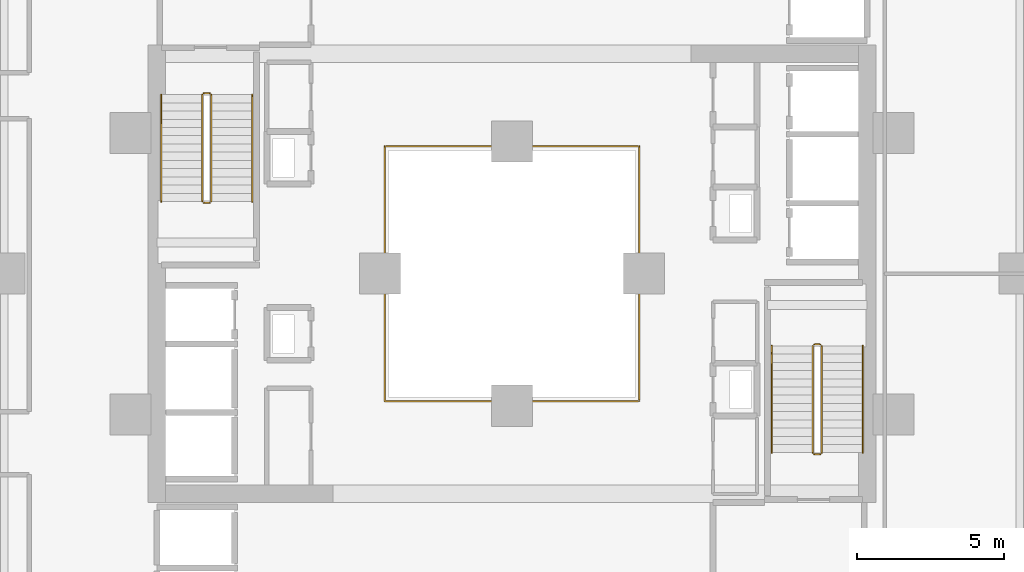
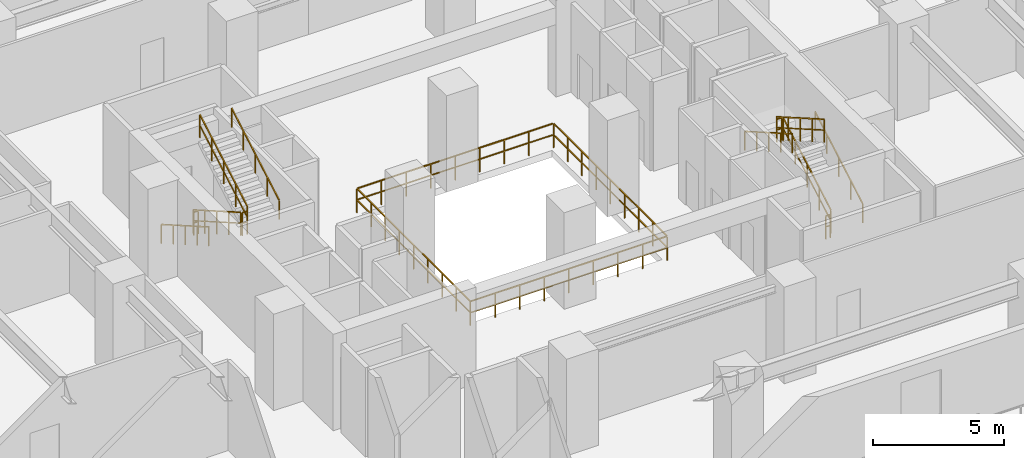
# One storey, part 25 of 25: 13 railings.
"""IFC4 building model written with IfcOpenShell, lengths in metres."""

from ifc_helpers import new_model, si_unit, direction, frame, origin, origin_2d, place, context, subcontext, project, spatial, rectangle, extrude, material, type_object, element, save


model = new_model("IFC4")

# Units and contexts
model_context = context("Model", 3, precision=1e-05, world=origin(), true_north=direction((0.0, 1.0)))
body_context = subcontext(model_context, "Body", "Model", "MODEL_VIEW")
ifc_project = project(units=[si_unit("LENGTHUNIT", "METRE"), si_unit("AREAUNIT", "SQUARE_METRE"), si_unit("VOLUMEUNIT", "CUBIC_METRE"), si_unit("PLANEANGLEUNIT", "RADIAN"), si_unit("MASSUNIT", "GRAM", prefix="KILO")], contexts=[model_context])

# Site, building, storey
site_placement = place(None, origin())
site = spatial("IfcSite", under=ifc_project, at=site_placement, CompositionType="ELEMENT")
building_placement = place(site_placement, origin())
building = spatial("IfcBuilding", under=site, at=building_placement, Name="Thornwick Lancets Civic Towers", CompositionType="ELEMENT")
storey_placement = place(building_placement, frame((0.0, 0.0, 9.60009765625)))
storey = spatial("IfcBuildingStorey", under=building, at=storey_placement, Name="L02", CompositionType="ELEMENT", Elevation=9.60009765625)

# Railings
ifc_material_1 = material(Name="Laminated glass and bronze steel S355", Category="steel")
railing_type_1 = type_object("IfcRailingType", Name="RAIL_ATRIUM_GUARD", PredefinedType="BALUSTRADE", material=ifc_material_1)
railing_1_placement = place(storey_placement, frame((84.159912109375, 22.659912109375, 0.0)))
element("IfcRailing", 1, at=railing_1_placement, inside=storey, type_object=railing_type_1, Name="L02 Tower B Central Atrium Guard Balustrade", PredefinedType="BALUSTRADE", context=body_context, shape_type="SweptSolid", body=[
    extrude(rectangle(XDim=0.048095703125, YDim=0.048095703125, at=origin_2d()), frame((0.0, 0.0, 1.1259765625), z_axis=(1.0, 0.0, 0.0), x_axis=(0.0, 1.0, 0.0)), (0.0, 0.0, 1.0), 8.64892578125),
    extrude(rectangle(XDim=0.0419921875, YDim=0.0419921875, at=origin_2d()), frame((0.03759765625, 0.0, 0.597900390625), z_axis=(1.0, 0.0, 0.0), x_axis=(0.0, 1.0, 0.0)), (0.0, 0.0, 1.0), 1.010009765625),
    extrude(rectangle(XDim=0.0419921875, YDim=0.0419921875, at=origin_2d()), frame((1.12255859375, 0.0, 0.597900390625), z_axis=(1.0, 0.0, 0.0), x_axis=(0.0, 1.0, 0.0)), (0.0, 0.0, 1.0), 1.010009765625),
    extrude(rectangle(XDim=0.0419921875, YDim=0.0419921875, at=origin_2d()), frame((2.20751953125, 0.0, 0.597900390625), z_axis=(1.0, 0.0, 0.0), x_axis=(0.0, 1.0, 0.0)), (0.0, 0.0, 1.0), 1.010009765625),
    extrude(rectangle(XDim=0.0419921875, YDim=0.0419921875, at=origin_2d()), frame((3.29248046875, 0.0, 0.597900390625), z_axis=(1.0, 0.0, 0.0), x_axis=(0.0, 1.0, 0.0)), (0.0, 0.0, 1.0), 1.010009765625),
    extrude(rectangle(XDim=0.0419921875, YDim=0.0419921875, at=origin_2d()), frame((4.377685546875, 0.0, 0.597900390625), z_axis=(1.0, 0.0, 0.0), x_axis=(0.0, 1.0, 0.0)), (0.0, 0.0, 1.0), 1.010009765625),
    extrude(rectangle(XDim=0.0419921875, YDim=0.0419921875, at=origin_2d()), frame((5.462646484375, 0.0, 0.597900390625), z_axis=(1.0, 0.0, 0.0), x_axis=(0.0, 1.0, 0.0)), (0.0, 0.0, 1.0), 1.010009765625),
    extrude(rectangle(XDim=0.0419921875, YDim=0.0419921875, at=origin_2d()), frame((6.547607421875, 0.0, 0.597900390625), z_axis=(1.0, 0.0, 0.0), x_axis=(0.0, 1.0, 0.0)), (0.0, 0.0, 1.0), 1.010009765625),
    extrude(rectangle(XDim=0.0419921875, YDim=0.0419921875, at=origin_2d()), frame((7.632568359375, 0.0, 0.597900390625), z_axis=(1.0, 0.0, 0.0), x_axis=(0.0, 1.0, 0.0)), (0.0, 0.0, 1.0), 1.010009765625),
    extrude(rectangle(XDim=0.048095703125, YDim=0.048095703125, at=origin_2d()), frame((8.68017578125, 0.03125, 1.1259765625), z_axis=(0.0, 1.0, 0.0), x_axis=(-1.0, 0.0, 0.0)), (0.0, 0.0, 1.0), 8.61767578125),
    extrude(rectangle(XDim=0.0419921875, YDim=0.0419921875, at=origin_2d()), frame((8.68017578125, 0.03759765625, 0.597900390625), z_axis=(0.0, 1.0, 0.0), x_axis=(-1.0, 0.0, 0.0)), (0.0, 0.0, 1.0), 1.010009765625),
    extrude(rectangle(XDim=0.0419921875, YDim=0.0419921875, at=origin_2d()), frame((8.68017578125, 1.12255859375, 0.597900390625), z_axis=(0.0, 1.0, 0.0), x_axis=(-1.0, 0.0, 0.0)), (0.0, 0.0, 1.0), 1.010009765625),
    extrude(rectangle(XDim=0.0419921875, YDim=0.0419921875, at=origin_2d()), frame((8.68017578125, 2.20751953125, 0.597900390625), z_axis=(0.0, 1.0, 0.0), x_axis=(-1.0, 0.0, 0.0)), (0.0, 0.0, 1.0), 1.010009765625),
    extrude(rectangle(XDim=0.0419921875, YDim=0.0419921875, at=origin_2d()), frame((8.68017578125, 3.29248046875, 0.597900390625), z_axis=(0.0, 1.0, 0.0), x_axis=(-1.0, 0.0, 0.0)), (0.0, 0.0, 1.0), 1.010009765625),
    extrude(rectangle(XDim=0.0419921875, YDim=0.0419921875, at=origin_2d()), frame((8.68017578125, 4.377685546875, 0.597900390625), z_axis=(0.0, 1.0, 0.0), x_axis=(-1.0, 0.0, 0.0)), (0.0, 0.0, 1.0), 1.010009765625),
    extrude(rectangle(XDim=0.0419921875, YDim=0.0419921875, at=origin_2d()), frame((8.68017578125, 5.462646484375, 0.597900390625), z_axis=(0.0, 1.0, 0.0), x_axis=(-1.0, 0.0, 0.0)), (0.0, 0.0, 1.0), 1.010009765625),
    extrude(rectangle(XDim=0.0419921875, YDim=0.0419921875, at=origin_2d()), frame((8.68017578125, 6.547607421875, 0.597900390625), z_axis=(0.0, 1.0, 0.0), x_axis=(-1.0, 0.0, 0.0)), (0.0, 0.0, 1.0), 1.010009765625),
    extrude(rectangle(XDim=0.0419921875, YDim=0.0419921875, at=origin_2d()), frame((8.68017578125, 7.632568359375, 0.597900390625), z_axis=(0.0, 1.0, 0.0), x_axis=(-1.0, 0.0, 0.0)), (0.0, 0.0, 1.0), 1.010009765625),
    extrude(rectangle(XDim=0.048095703125, YDim=0.048095703125, at=origin_2d()), frame((8.64892578125, 8.68017578125, 1.1259765625), z_axis=(-1.0, 0.0, 0.0), x_axis=(0.0, -1.0, 0.0)), (0.0, 0.0, 1.0), 8.61767578125),
    extrude(rectangle(XDim=0.0419921875, YDim=0.0419921875, at=origin_2d()), frame((8.642578125, 8.68017578125, 0.597900390625), z_axis=(-1.0, 0.0, 0.0), x_axis=(0.0, -1.0, 0.0)), (0.0, 0.0, 1.0), 1.010009765625),
    extrude(rectangle(XDim=0.0419921875, YDim=0.0419921875, at=origin_2d()), frame((7.5576171875, 8.68017578125, 0.597900390625), z_axis=(-1.0, 0.0, 0.0), x_axis=(0.0, -1.0, 0.0)), (0.0, 0.0, 1.0), 1.010009765625),
    extrude(rectangle(XDim=0.0419921875, YDim=0.0419921875, at=origin_2d()), frame((6.47265625, 8.68017578125, 0.597900390625), z_axis=(-1.0, 0.0, 0.0), x_axis=(0.0, -1.0, 0.0)), (0.0, 0.0, 1.0), 1.010009765625),
    extrude(rectangle(XDim=0.0419921875, YDim=0.0419921875, at=origin_2d()), frame((5.3876953125, 8.68017578125, 0.597900390625), z_axis=(-1.0, 0.0, 0.0), x_axis=(0.0, -1.0, 0.0)), (0.0, 0.0, 1.0), 1.010009765625),
    extrude(rectangle(XDim=0.0419921875, YDim=0.0419921875, at=origin_2d()), frame((4.302490234375, 8.68017578125, 0.597900390625), z_axis=(-1.0, 0.0, 0.0), x_axis=(0.0, -1.0, 0.0)), (0.0, 0.0, 1.0), 1.010009765625),
    extrude(rectangle(XDim=0.0419921875, YDim=0.0419921875, at=origin_2d()), frame((3.217529296875, 8.68017578125, 0.597900390625), z_axis=(-1.0, 0.0, 0.0), x_axis=(0.0, -1.0, 0.0)), (0.0, 0.0, 1.0), 1.010009765625),
    extrude(rectangle(XDim=0.0419921875, YDim=0.0419921875, at=origin_2d()), frame((2.132568359375, 8.68017578125, 0.597900390625), z_axis=(-1.0, 0.0, 0.0), x_axis=(0.0, -1.0, 0.0)), (0.0, 0.0, 1.0), 1.010009765625),
    extrude(rectangle(XDim=0.0419921875, YDim=0.0419921875, at=origin_2d()), frame((1.047607421875, 8.68017578125, 0.597900390625), z_axis=(-1.0, 0.0, 0.0), x_axis=(0.0, -1.0, 0.0)), (0.0, 0.0, 1.0), 1.010009765625),
    extrude(rectangle(XDim=0.048095703125, YDim=0.048095703125, at=origin_2d()), frame((0.0, 8.64892578125, 1.1259765625), z_axis=(0.0, -1.0, 0.0), x_axis=(1.0, 0.0, 0.0)), (0.0, 0.0, 1.0), 8.64892578125),
    extrude(rectangle(XDim=0.0419921875, YDim=0.0419921875, at=origin_2d()), frame((0.0, 8.642578125, 0.597900390625), z_axis=(0.0, -1.0, 0.0), x_axis=(1.0, 0.0, 0.0)), (0.0, 0.0, 1.0), 1.010009765625),
    extrude(rectangle(XDim=0.0419921875, YDim=0.0419921875, at=origin_2d()), frame((0.0, 7.5576171875, 0.597900390625), z_axis=(0.0, -1.0, 0.0), x_axis=(1.0, 0.0, 0.0)), (0.0, 0.0, 1.0), 1.010009765625),
    extrude(rectangle(XDim=0.0419921875, YDim=0.0419921875, at=origin_2d()), frame((0.0, 6.47265625, 0.597900390625), z_axis=(0.0, -1.0, 0.0), x_axis=(1.0, 0.0, 0.0)), (0.0, 0.0, 1.0), 1.010009765625),
    extrude(rectangle(XDim=0.0419921875, YDim=0.0419921875, at=origin_2d()), frame((0.0, 5.3876953125, 0.597900390625), z_axis=(0.0, -1.0, 0.0), x_axis=(1.0, 0.0, 0.0)), (0.0, 0.0, 1.0), 1.010009765625),
    extrude(rectangle(XDim=0.0419921875, YDim=0.0419921875, at=origin_2d()), frame((0.0, 4.302490234375, 0.597900390625), z_axis=(0.0, -1.0, 0.0), x_axis=(1.0, 0.0, 0.0)), (0.0, 0.0, 1.0), 1.010009765625),
    extrude(rectangle(XDim=0.0419921875, YDim=0.0419921875, at=origin_2d()), frame((0.0, 3.217529296875, 0.597900390625), z_axis=(0.0, -1.0, 0.0), x_axis=(1.0, 0.0, 0.0)), (0.0, 0.0, 1.0), 1.010009765625),
    extrude(rectangle(XDim=0.0419921875, YDim=0.0419921875, at=origin_2d()), frame((0.0, 2.132568359375, 0.597900390625), z_axis=(0.0, -1.0, 0.0), x_axis=(1.0, 0.0, 0.0)), (0.0, 0.0, 1.0), 1.010009765625),
    extrude(rectangle(XDim=0.0419921875, YDim=0.0419921875, at=origin_2d()), frame((0.0, 1.047607421875, 0.597900390625), z_axis=(0.0, -1.0, 0.0), x_axis=(1.0, 0.0, 0.0)), (0.0, 0.0, 1.0), 1.010009765625),
    extrude(rectangle(XDim=0.0419921875, YDim=0.0419921875, at=origin_2d()), origin(), (0.0, 0.0, 1.0), 1.095703125),
    extrude(rectangle(XDim=0.0419921875, YDim=0.0419921875, at=origin_2d()), frame((1.0849609375, 0.0, 0.0)), (0.0, 0.0, 1.0), 1.095703125),
    extrude(rectangle(XDim=0.0419921875, YDim=0.0419921875, at=origin_2d()), frame((2.169921875, 0.0, 0.0)), (0.0, 0.0, 1.0), 1.095703125),
    extrude(rectangle(XDim=0.0419921875, YDim=0.0419921875, at=origin_2d()), frame((3.255126953125, 0.0, 0.0)), (0.0, 0.0, 1.0), 1.095703125),
    extrude(rectangle(XDim=0.0419921875, YDim=0.0419921875, at=origin_2d()), frame((4.340087890625, 0.0, 0.0)), (0.0, 0.0, 1.0), 1.095703125),
    extrude(rectangle(XDim=0.0419921875, YDim=0.0419921875, at=origin_2d()), frame((5.425048828125, 0.0, 0.0)), (0.0, 0.0, 1.0), 1.095703125),
    extrude(rectangle(XDim=0.0419921875, YDim=0.0419921875, at=origin_2d()), frame((6.51025390625, 0.0, 0.0)), (0.0, 0.0, 1.0), 1.095703125),
    extrude(rectangle(XDim=0.0419921875, YDim=0.0419921875, at=origin_2d()), frame((7.59521484375, 0.0, 0.0)), (0.0, 0.0, 1.0), 1.095703125),
    extrude(rectangle(XDim=0.0419921875, YDim=0.0419921875, at=origin_2d()), frame((8.68017578125, 0.0, 0.0)), (0.0, 0.0, 1.0), 1.095703125),
    extrude(rectangle(XDim=0.0419921875, YDim=0.0419921875, at=origin_2d()), frame((8.68017578125, 1.0849609375, 0.0)), (0.0, 0.0, 1.0), 1.095703125),
    extrude(rectangle(XDim=0.0419921875, YDim=0.0419921875, at=origin_2d()), frame((8.68017578125, 2.169921875, 0.0)), (0.0, 0.0, 1.0), 1.095703125),
    extrude(rectangle(XDim=0.0419921875, YDim=0.0419921875, at=origin_2d()), frame((8.68017578125, 3.255126953125, 0.0)), (0.0, 0.0, 1.0), 1.095703125),
    extrude(rectangle(XDim=0.0419921875, YDim=0.0419921875, at=origin_2d()), frame((8.68017578125, 4.340087890625, 0.0)), (0.0, 0.0, 1.0), 1.095703125),
    extrude(rectangle(XDim=0.0419921875, YDim=0.0419921875, at=origin_2d()), frame((8.68017578125, 5.425048828125, 0.0)), (0.0, 0.0, 1.0), 1.095703125),
    extrude(rectangle(XDim=0.0419921875, YDim=0.0419921875, at=origin_2d()), frame((8.68017578125, 6.51025390625, 0.0)), (0.0, 0.0, 1.0), 1.095703125),
    extrude(rectangle(XDim=0.0419921875, YDim=0.0419921875, at=origin_2d()), frame((8.68017578125, 7.59521484375, 0.0)), (0.0, 0.0, 1.0), 1.095703125),
    extrude(rectangle(XDim=0.0419921875, YDim=0.0419921875, at=origin_2d()), frame((8.68017578125, 8.68017578125, 0.0)), (0.0, 0.0, 1.0), 1.095703125),
    extrude(rectangle(XDim=0.0419921875, YDim=0.0419921875, at=origin_2d()), frame((7.59521484375, 8.68017578125, 0.0)), (0.0, 0.0, 1.0), 1.095703125),
    extrude(rectangle(XDim=0.0419921875, YDim=0.0419921875, at=origin_2d()), frame((6.51025390625, 8.68017578125, 0.0)), (0.0, 0.0, 1.0), 1.095703125),
    extrude(rectangle(XDim=0.0419921875, YDim=0.0419921875, at=origin_2d()), frame((5.425048828125, 8.68017578125, 0.0)), (0.0, 0.0, 1.0), 1.095703125),
    extrude(rectangle(XDim=0.0419921875, YDim=0.0419921875, at=origin_2d()), frame((4.340087890625, 8.68017578125, 0.0)), (0.0, 0.0, 1.0), 1.095703125),
    extrude(rectangle(XDim=0.0419921875, YDim=0.0419921875, at=origin_2d()), frame((3.255126953125, 8.68017578125, 0.0)), (0.0, 0.0, 1.0), 1.095703125),
    extrude(rectangle(XDim=0.0419921875, YDim=0.0419921875, at=origin_2d()), frame((2.169921875, 8.68017578125, 0.0)), (0.0, 0.0, 1.0), 1.095703125),
    extrude(rectangle(XDim=0.0419921875, YDim=0.0419921875, at=origin_2d()), frame((1.0849609375, 8.68017578125, 0.0)), (0.0, 0.0, 1.0), 1.095703125),
    extrude(rectangle(XDim=0.0419921875, YDim=0.0419921875, at=origin_2d()), frame((0.0, 8.68017578125, 0.0)), (0.0, 0.0, 1.0), 1.095703125),
    extrude(rectangle(XDim=0.0419921875, YDim=0.0419921875, at=origin_2d()), frame((0.0, 7.59521484375, 0.0)), (0.0, 0.0, 1.0), 1.095703125),
    extrude(rectangle(XDim=0.0419921875, YDim=0.0419921875, at=origin_2d()), frame((0.0, 6.51025390625, 0.0)), (0.0, 0.0, 1.0), 1.095703125),
    extrude(rectangle(XDim=0.0419921875, YDim=0.0419921875, at=origin_2d()), frame((0.0, 5.425048828125, 0.0)), (0.0, 0.0, 1.0), 1.095703125),
    extrude(rectangle(XDim=0.0419921875, YDim=0.0419921875, at=origin_2d()), frame((0.0, 4.340087890625, 0.0)), (0.0, 0.0, 1.0), 1.095703125),
    extrude(rectangle(XDim=0.0419921875, YDim=0.0419921875, at=origin_2d()), frame((0.0, 3.255126953125, 0.0)), (0.0, 0.0, 1.0), 1.095703125),
    extrude(rectangle(XDim=0.0419921875, YDim=0.0419921875, at=origin_2d()), frame((0.0, 2.169921875, 0.0)), (0.0, 0.0, 1.0), 1.095703125),
    extrude(rectangle(XDim=0.0419921875, YDim=0.0419921875, at=origin_2d()), frame((0.0, 1.0849609375, 0.0)), (0.0, 0.0, 1.0), 1.095703125),
])
ifc_material_2 = material(Name="Brushed stainless steel S355", Category="steel")
railing_type_2 = type_object("IfcRailingType", Name="RAIL_HANDRAIL", PredefinedType="HANDRAIL", material=ifc_material_2)
railing_2_placement = place(storey_placement, frame((100.449951171875, 20.89990234375, 0.16064453125)))
element("IfcRailing", 2, at=railing_2_placement, inside=storey, type_object=railing_type_2, Name="L02 ST-B1 stair handrail 1", PredefinedType="HANDRAIL", context=body_context, shape_type="SweptSolid", body=[
    extrude(rectangle(XDim=0.048095703125, YDim=0.048095703125, at=origin_2d()), frame((0.0, 0.0, 0.8857421875), z_axis=(0.0, 0.867289372828, 0.497804322781), x_axis=(-1.0, 0.0, 0.0)), (0.0, 0.0, 1.0), 4.197021484375),
    extrude(rectangle(XDim=0.0419921875, YDim=0.0419921875, at=origin_2d()), origin(), (0.0, 0.0, 1.0), 0.855712890625),
    extrude(rectangle(XDim=0.0419921875, YDim=0.0419921875, at=origin_2d()), frame((0.0, 0.91015625, 0.5224609375)), (0.0, 0.0, 1.0), 0.855712890625),
    extrude(rectangle(XDim=0.0419921875, YDim=0.0419921875, at=origin_2d()), frame((0.0, 1.820068359375, 1.044677734375)), (0.0, 0.0, 1.0), 0.855712890625),
    extrude(rectangle(XDim=0.0419921875, YDim=0.0419921875, at=origin_2d()), frame((0.0, 2.72998046875, 1.56689453125)), (0.0, 0.0, 1.0), 0.855712890625),
    extrude(rectangle(XDim=0.0419921875, YDim=0.0419921875, at=origin_2d()), frame((0.0, 3.64013671875, 2.08935546875)), (0.0, 0.0, 1.0), 0.855712890625),
])
for number, where, name in (
    (3, (97.35009765625, 24.5400390625, 2.41064453125), "L02 ST-B1 stair handrail 2"),
    (4, (76.550048828125, 33.10009765625, 0.16064453125), "L02 ST-B2 stair handrail 1"),
):
    element("IfcRailing", number, at=place(storey_placement, frame(where)), inside=storey, type_object=railing_type_2, Name=name, PredefinedType="HANDRAIL", context=body_context, shape_type="SweptSolid", body=[
        extrude(rectangle(XDim=0.048095703125, YDim=0.048095703125, at=origin_2d()), frame((0.0, 0.0, 0.8857421875), z_axis=(0.0, -0.867289372828, 0.497804322781), x_axis=(1.0, 0.0, 0.0)), (0.0, 0.0, 1.0), 4.197021484375),
        extrude(rectangle(XDim=0.0419921875, YDim=0.0419921875, at=origin_2d()), origin(), (0.0, 0.0, 1.0), 0.855712890625),
        extrude(rectangle(XDim=0.0419921875, YDim=0.0419921875, at=origin_2d()), frame((0.0, -0.91015625, 0.5224609375)), (0.0, 0.0, 1.0), 0.855712890625),
        extrude(rectangle(XDim=0.0419921875, YDim=0.0419921875, at=origin_2d()), frame((0.0, -1.820068359375, 1.044677734375)), (0.0, 0.0, 1.0), 0.855712890625),
        extrude(rectangle(XDim=0.0419921875, YDim=0.0419921875, at=origin_2d()), frame((0.0, -2.72998046875, 1.56689453125)), (0.0, 0.0, 1.0), 0.855712890625),
        extrude(rectangle(XDim=0.0419921875, YDim=0.0419921875, at=origin_2d()), frame((0.0, -3.64013671875, 2.08935546875)), (0.0, 0.0, 1.0), 0.855712890625),
    ])
railing_3_placement = place(storey_placement, frame((79.64990234375, 29.4599609375, 2.41064453125)))
element("IfcRailing", 5, at=railing_3_placement, inside=storey, type_object=railing_type_2, Name="L02 ST-B2 stair handrail 2", PredefinedType="HANDRAIL", context=body_context, shape_type="SweptSolid", body=[
    extrude(rectangle(XDim=0.048095703125, YDim=0.048095703125, at=origin_2d()), frame((0.0, 0.0, 0.8857421875), z_axis=(0.0, 0.867289372828, 0.497804322781), x_axis=(-1.0, 0.0, 0.0)), (0.0, 0.0, 1.0), 4.197021484375),
    extrude(rectangle(XDim=0.0419921875, YDim=0.0419921875, at=origin_2d()), origin(), (0.0, 0.0, 1.0), 0.855712890625),
    extrude(rectangle(XDim=0.0419921875, YDim=0.0419921875, at=origin_2d()), frame((0.0, 0.91015625, 0.5224609375)), (0.0, 0.0, 1.0), 0.855712890625),
    extrude(rectangle(XDim=0.0419921875, YDim=0.0419921875, at=origin_2d()), frame((0.0, 1.820068359375, 1.044677734375)), (0.0, 0.0, 1.0), 0.855712890625),
    extrude(rectangle(XDim=0.0419921875, YDim=0.0419921875, at=origin_2d()), frame((0.0, 2.72998046875, 1.56689453125)), (0.0, 0.0, 1.0), 0.855712890625),
    extrude(rectangle(XDim=0.0419921875, YDim=0.0419921875, at=origin_2d()), frame((0.0, 3.64013671875, 2.08935546875)), (0.0, 0.0, 1.0), 0.855712890625),
])
ifc_material_3 = material(Name="Steel S355JR", Category="steel")
railing_type_3 = type_object("IfcRailingType", Name="RAIL_STAIR_GUARD", PredefinedType="GUARDRAIL", material=ifc_material_3)
railing_4_placement = place(storey_placement, frame((99.050048828125, 20.89990234375, 0.16064453125)))
element("IfcRailing", 6, at=railing_4_placement, inside=storey, type_object=railing_type_3, Name="L02 ST-B1 stair guard 1", PredefinedType="GUARDRAIL", context=body_context, shape_type="SweptSolid", body=[
    extrude(rectangle(XDim=0.048095703125, YDim=0.048095703125, at=origin_2d()), frame((0.0, 0.0, 1.076171875), z_axis=(0.0, 0.867289372828, 0.497804322781), x_axis=(-1.0, 0.0, 0.0)), (0.0, 0.0, 1.0), 4.197021484375),
    extrude(rectangle(XDim=0.0419921875, YDim=0.0419921875, at=origin_2d()), frame((0.0, 0.032470703125, 0.5908203125), z_axis=(0.0, 0.867289372828, 0.497804322781), x_axis=(-1.0, 0.0, 0.0)), (0.0, 0.0, 1.0), 0.974365234375),
    extrude(rectangle(XDim=0.0419921875, YDim=0.0419921875, at=origin_2d()), frame((0.0, 0.942626953125, 1.113037109375), z_axis=(0.0, 0.867289372828, 0.497804322781), x_axis=(-1.0, 0.0, 0.0)), (0.0, 0.0, 1.0), 0.974365234375),
    extrude(rectangle(XDim=0.0419921875, YDim=0.0419921875, at=origin_2d()), frame((0.0, 1.8525390625, 1.635498046875), z_axis=(0.0, 0.867289372828, 0.497804322781), x_axis=(-1.0, 0.0, 0.0)), (0.0, 0.0, 1.0), 0.974365234375),
    extrude(rectangle(XDim=0.0419921875, YDim=0.0419921875, at=origin_2d()), frame((0.0, 2.7626953125, 2.15771484375), z_axis=(0.0, 0.867289372828, 0.497804322781), x_axis=(-1.0, 0.0, 0.0)), (0.0, 0.0, 1.0), 0.974365234375),
    extrude(rectangle(XDim=0.0419921875, YDim=0.0419921875, at=origin_2d()), origin(), (0.0, 0.0, 1.0), 1.0458984375),
    extrude(rectangle(XDim=0.0419921875, YDim=0.0419921875, at=origin_2d()), frame((0.0, 0.91015625, 0.5224609375)), (0.0, 0.0, 1.0), 1.0458984375),
    extrude(rectangle(XDim=0.0419921875, YDim=0.0419921875, at=origin_2d()), frame((0.0, 1.820068359375, 1.044677734375)), (0.0, 0.0, 1.0), 1.0458984375),
    extrude(rectangle(XDim=0.0419921875, YDim=0.0419921875, at=origin_2d()), frame((0.0, 2.72998046875, 1.56689453125)), (0.0, 0.0, 1.0), 1.0458984375),
    extrude(rectangle(XDim=0.0419921875, YDim=0.0419921875, at=origin_2d()), frame((0.0, 3.64013671875, 2.08935546875)), (0.0, 0.0, 1.0), 1.0458984375),
])
railing_5_placement = place(storey_placement, frame((99.0, 24.590087890625, 2.25)))
element("IfcRailing", 7, at=railing_5_placement, inside=storey, type_object=railing_type_3, Name="L02 ST-B1 stair guard 2", PredefinedType="GUARDRAIL", context=body_context, shape_type="SweptSolid", body=[
    extrude(rectangle(XDim=0.048095703125, YDim=0.048095703125, at=origin_2d()), frame((0.0, 0.0, 1.076171875), z_axis=(-1.0, 0.0, 0.0), x_axis=(0.0, -1.0, 0.0)), (0.0, 0.0, 1.0), 0.199951171875),
    extrude(rectangle(XDim=0.0419921875, YDim=0.0419921875, at=origin_2d()), frame((-0.03759765625, 0.0, 0.572021484375), z_axis=(-1.0, 0.0, 0.0), x_axis=(0.0, -1.0, 0.0)), (0.0, 0.0, 1.0), 0.125),
    extrude(rectangle(XDim=0.0419921875, YDim=0.0419921875, at=origin_2d()), origin(), (0.0, 0.0, 1.0), 1.0458984375),
    extrude(rectangle(XDim=0.0419921875, YDim=0.0419921875, at=origin_2d()), frame((-0.199951171875, 0.0, 0.0)), (0.0, 0.0, 1.0), 1.0458984375),
])
railing_6_placement = place(storey_placement, frame((98.75, 24.5400390625, 2.41064453125)))
element("IfcRailing", 8, at=railing_6_placement, inside=storey, type_object=railing_type_3, Name="L02 ST-B1 stair guard 3", PredefinedType="GUARDRAIL", context=body_context, shape_type="SweptSolid", body=[
    extrude(rectangle(XDim=0.048095703125, YDim=0.048095703125, at=origin_2d()), frame((0.0, 0.0, 1.076171875), z_axis=(0.0, -0.867289372828, 0.497804322781), x_axis=(1.0, 0.0, 0.0)), (0.0, 0.0, 1.0), 4.197021484375),
    extrude(rectangle(XDim=0.0419921875, YDim=0.0419921875, at=origin_2d()), frame((0.0, -0.032470703125, 0.5908203125), z_axis=(0.0, -0.867289372828, 0.497804322781), x_axis=(1.0, 0.0, 0.0)), (0.0, 0.0, 1.0), 0.974365234375),
    extrude(rectangle(XDim=0.0419921875, YDim=0.0419921875, at=origin_2d()), frame((0.0, -0.942626953125, 1.113037109375), z_axis=(0.0, -0.867289372828, 0.497804322781), x_axis=(1.0, 0.0, 0.0)), (0.0, 0.0, 1.0), 0.974365234375),
    extrude(rectangle(XDim=0.0419921875, YDim=0.0419921875, at=origin_2d()), frame((0.0, -1.8525390625, 1.635498046875), z_axis=(0.0, -0.867289372828, 0.497804322781), x_axis=(1.0, 0.0, 0.0)), (0.0, 0.0, 1.0), 0.974365234375),
    extrude(rectangle(XDim=0.0419921875, YDim=0.0419921875, at=origin_2d()), frame((0.0, -2.7626953125, 2.15771484375), z_axis=(0.0, -0.867289372828, 0.497804322781), x_axis=(1.0, 0.0, 0.0)), (0.0, 0.0, 1.0), 0.974365234375),
    extrude(rectangle(XDim=0.0419921875, YDim=0.0419921875, at=origin_2d()), origin(), (0.0, 0.0, 1.0), 1.0458984375),
    extrude(rectangle(XDim=0.0419921875, YDim=0.0419921875, at=origin_2d()), frame((0.0, -0.91015625, 0.5224609375)), (0.0, 0.0, 1.0), 1.0458984375),
    extrude(rectangle(XDim=0.0419921875, YDim=0.0419921875, at=origin_2d()), frame((0.0, -1.820068359375, 1.044677734375)), (0.0, 0.0, 1.0), 1.0458984375),
    extrude(rectangle(XDim=0.0419921875, YDim=0.0419921875, at=origin_2d()), frame((0.0, -2.72998046875, 1.56689453125)), (0.0, 0.0, 1.0), 1.0458984375),
    extrude(rectangle(XDim=0.0419921875, YDim=0.0419921875, at=origin_2d()), frame((0.0, -3.64013671875, 2.08935546875)), (0.0, 0.0, 1.0), 1.0458984375),
])
railing_7_placement = place(storey_placement, frame((99.0, 20.85009765625, 0.0)))
element("IfcRailing", 9, at=railing_7_placement, inside=storey, type_object=railing_type_3, Name="L02 ST-B1 stair guard 4", PredefinedType="GUARDRAIL", context=body_context, shape_type="SweptSolid", body=[
    extrude(rectangle(XDim=0.048095703125, YDim=0.048095703125, at=origin_2d()), frame((0.0, 0.0, 1.076171875), z_axis=(-1.0, 0.0, 0.0), x_axis=(0.0, -1.0, 0.0)), (0.0, 0.0, 1.0), 0.199951171875),
    extrude(rectangle(XDim=0.0419921875, YDim=0.0419921875, at=origin_2d()), frame((-0.03759765625, 0.0, 0.572021484375), z_axis=(-1.0, 0.0, 0.0), x_axis=(0.0, -1.0, 0.0)), (0.0, 0.0, 1.0), 0.125),
    extrude(rectangle(XDim=0.0419921875, YDim=0.0419921875, at=origin_2d()), origin(), (0.0, 0.0, 1.0), 1.0458984375),
    extrude(rectangle(XDim=0.0419921875, YDim=0.0419921875, at=origin_2d()), frame((-0.199951171875, 0.0, 0.0)), (0.0, 0.0, 1.0), 1.0458984375),
])
railing_8_placement = place(storey_placement, frame((77.949951171875, 33.10009765625, 0.16064453125)))
element("IfcRailing", 10, at=railing_8_placement, inside=storey, type_object=railing_type_3, Name="L02 ST-B2 stair guard 1", PredefinedType="GUARDRAIL", context=body_context, shape_type="SweptSolid", body=[
    extrude(rectangle(XDim=0.048095703125, YDim=0.048095703125, at=origin_2d()), frame((0.0, 0.0, 1.076171875), z_axis=(0.0, -0.867289372828, 0.497804322781), x_axis=(1.0, 0.0, 0.0)), (0.0, 0.0, 1.0), 4.197021484375),
    extrude(rectangle(XDim=0.0419921875, YDim=0.0419921875, at=origin_2d()), frame((0.0, -0.032470703125, 0.5908203125), z_axis=(0.0, -0.867289372828, 0.497804322781), x_axis=(1.0, 0.0, 0.0)), (0.0, 0.0, 1.0), 0.974365234375),
    extrude(rectangle(XDim=0.0419921875, YDim=0.0419921875, at=origin_2d()), frame((0.0, -0.942626953125, 1.113037109375), z_axis=(0.0, -0.867289372828, 0.497804322781), x_axis=(1.0, 0.0, 0.0)), (0.0, 0.0, 1.0), 0.974365234375),
    extrude(rectangle(XDim=0.0419921875, YDim=0.0419921875, at=origin_2d()), frame((0.0, -1.8525390625, 1.635498046875), z_axis=(0.0, -0.867289372828, 0.497804322781), x_axis=(1.0, 0.0, 0.0)), (0.0, 0.0, 1.0), 0.974365234375),
    extrude(rectangle(XDim=0.0419921875, YDim=0.0419921875, at=origin_2d()), frame((0.0, -2.7626953125, 2.15771484375), z_axis=(0.0, -0.867289372828, 0.497804322781), x_axis=(1.0, 0.0, 0.0)), (0.0, 0.0, 1.0), 0.974365234375),
    extrude(rectangle(XDim=0.0419921875, YDim=0.0419921875, at=origin_2d()), origin(), (0.0, 0.0, 1.0), 1.0458984375),
    extrude(rectangle(XDim=0.0419921875, YDim=0.0419921875, at=origin_2d()), frame((0.0, -0.91015625, 0.5224609375)), (0.0, 0.0, 1.0), 1.0458984375),
    extrude(rectangle(XDim=0.0419921875, YDim=0.0419921875, at=origin_2d()), frame((0.0, -1.820068359375, 1.044677734375)), (0.0, 0.0, 1.0), 1.0458984375),
    extrude(rectangle(XDim=0.0419921875, YDim=0.0419921875, at=origin_2d()), frame((0.0, -2.72998046875, 1.56689453125)), (0.0, 0.0, 1.0), 1.0458984375),
    extrude(rectangle(XDim=0.0419921875, YDim=0.0419921875, at=origin_2d()), frame((0.0, -3.64013671875, 2.08935546875)), (0.0, 0.0, 1.0), 1.0458984375),
])
railing_9_placement = place(storey_placement, frame((78.0, 29.409912109375, 2.25)))
element("IfcRailing", 11, at=railing_9_placement, inside=storey, type_object=railing_type_3, Name="L02 ST-B2 stair guard 2", PredefinedType="GUARDRAIL", context=body_context, shape_type="SweptSolid", body=[
    extrude(rectangle(XDim=0.048095703125, YDim=0.048095703125, at=origin_2d()), frame((0.0, 0.0, 1.076171875), z_axis=(1.0, 0.0, 0.0), x_axis=(0.0, 1.0, 0.0)), (0.0, 0.0, 1.0), 0.199951171875),
    extrude(rectangle(XDim=0.0419921875, YDim=0.0419921875, at=origin_2d()), frame((0.03759765625, 0.0, 0.572021484375), z_axis=(1.0, 0.0, 0.0), x_axis=(0.0, 1.0, 0.0)), (0.0, 0.0, 1.0), 0.125),
    extrude(rectangle(XDim=0.0419921875, YDim=0.0419921875, at=origin_2d()), origin(), (0.0, 0.0, 1.0), 1.0458984375),
    extrude(rectangle(XDim=0.0419921875, YDim=0.0419921875, at=origin_2d()), frame((0.199951171875, 0.0, 0.0)), (0.0, 0.0, 1.0), 1.0458984375),
])
railing_10_placement = place(storey_placement, frame((78.25, 29.4599609375, 2.41064453125)))
element("IfcRailing", 12, at=railing_10_placement, inside=storey, type_object=railing_type_3, Name="L02 ST-B2 stair guard 3", PredefinedType="GUARDRAIL", context=body_context, shape_type="SweptSolid", body=[
    extrude(rectangle(XDim=0.048095703125, YDim=0.048095703125, at=origin_2d()), frame((0.0, 0.0, 1.076171875), z_axis=(0.0, 0.867289372828, 0.497804322781), x_axis=(-1.0, 0.0, 0.0)), (0.0, 0.0, 1.0), 4.197021484375),
    extrude(rectangle(XDim=0.0419921875, YDim=0.0419921875, at=origin_2d()), frame((0.0, 0.032470703125, 0.5908203125), z_axis=(0.0, 0.867289372828, 0.497804322781), x_axis=(-1.0, 0.0, 0.0)), (0.0, 0.0, 1.0), 0.974365234375),
    extrude(rectangle(XDim=0.0419921875, YDim=0.0419921875, at=origin_2d()), frame((0.0, 0.942626953125, 1.113037109375), z_axis=(0.0, 0.867289372828, 0.497804322781), x_axis=(-1.0, 0.0, 0.0)), (0.0, 0.0, 1.0), 0.974365234375),
    extrude(rectangle(XDim=0.0419921875, YDim=0.0419921875, at=origin_2d()), frame((0.0, 1.8525390625, 1.635498046875), z_axis=(0.0, 0.867289372828, 0.497804322781), x_axis=(-1.0, 0.0, 0.0)), (0.0, 0.0, 1.0), 0.974365234375),
    extrude(rectangle(XDim=0.0419921875, YDim=0.0419921875, at=origin_2d()), frame((0.0, 2.7626953125, 2.15771484375), z_axis=(0.0, 0.867289372828, 0.497804322781), x_axis=(-1.0, 0.0, 0.0)), (0.0, 0.0, 1.0), 0.974365234375),
    extrude(rectangle(XDim=0.0419921875, YDim=0.0419921875, at=origin_2d()), origin(), (0.0, 0.0, 1.0), 1.0458984375),
    extrude(rectangle(XDim=0.0419921875, YDim=0.0419921875, at=origin_2d()), frame((0.0, 0.91015625, 0.5224609375)), (0.0, 0.0, 1.0), 1.0458984375),
    extrude(rectangle(XDim=0.0419921875, YDim=0.0419921875, at=origin_2d()), frame((0.0, 1.820068359375, 1.044677734375)), (0.0, 0.0, 1.0), 1.0458984375),
    extrude(rectangle(XDim=0.0419921875, YDim=0.0419921875, at=origin_2d()), frame((0.0, 2.72998046875, 1.56689453125)), (0.0, 0.0, 1.0), 1.0458984375),
    extrude(rectangle(XDim=0.0419921875, YDim=0.0419921875, at=origin_2d()), frame((0.0, 3.64013671875, 2.08935546875)), (0.0, 0.0, 1.0), 1.0458984375),
])
railing_11_placement = place(storey_placement, frame((78.0, 33.14990234375, 0.0)))
element("IfcRailing", 13, at=railing_11_placement, inside=storey, type_object=railing_type_3, Name="L02 ST-B2 stair guard 4", PredefinedType="GUARDRAIL", context=body_context, shape_type="SweptSolid", body=[
    extrude(rectangle(XDim=0.048095703125, YDim=0.048095703125, at=origin_2d()), frame((0.0, 0.0, 1.076171875), z_axis=(1.0, 0.0, 0.0), x_axis=(0.0, 1.0, 0.0)), (0.0, 0.0, 1.0), 0.199951171875),
    extrude(rectangle(XDim=0.0419921875, YDim=0.0419921875, at=origin_2d()), frame((0.03759765625, 0.0, 0.572021484375), z_axis=(1.0, 0.0, 0.0), x_axis=(0.0, 1.0, 0.0)), (0.0, 0.0, 1.0), 0.125),
    extrude(rectangle(XDim=0.0419921875, YDim=0.0419921875, at=origin_2d()), origin(), (0.0, 0.0, 1.0), 1.0458984375),
    extrude(rectangle(XDim=0.0419921875, YDim=0.0419921875, at=origin_2d()), frame((0.199951171875, 0.0, 0.0)), (0.0, 0.0, 1.0), 1.0458984375),
])

save(model, "model.ifc")
